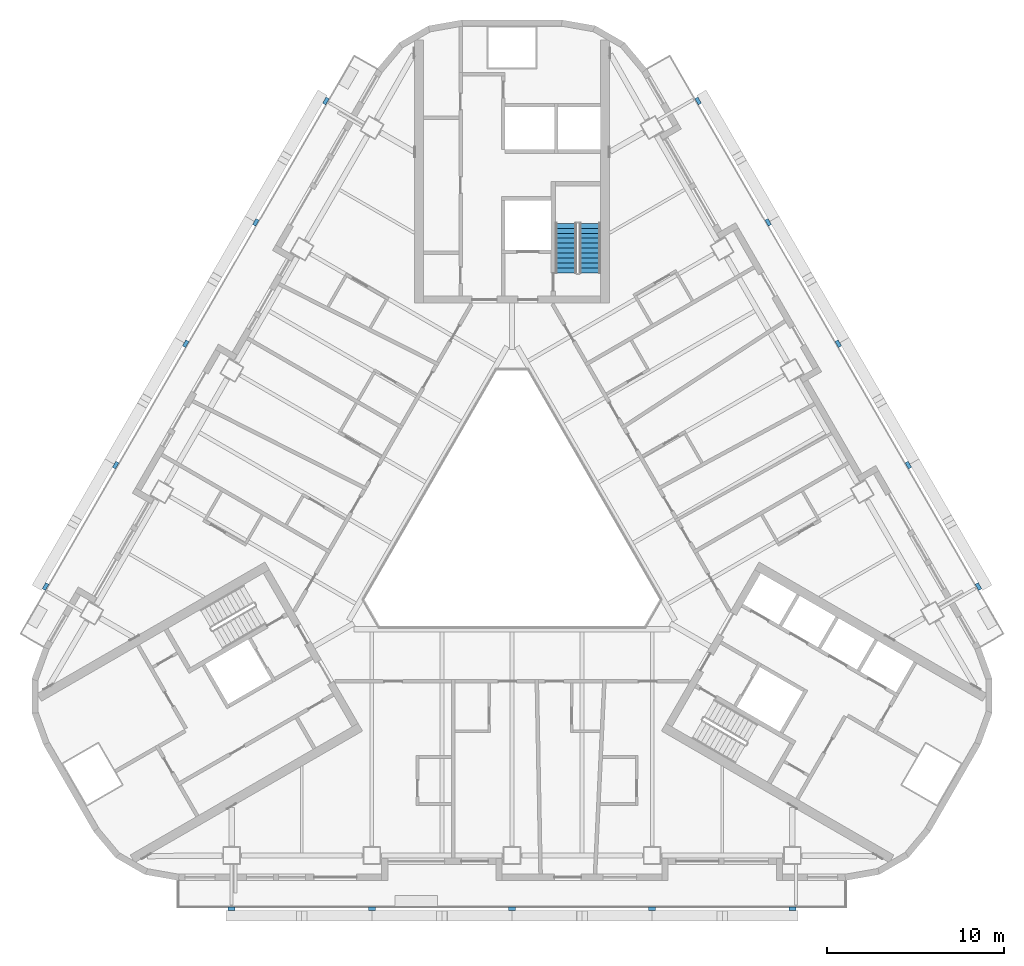
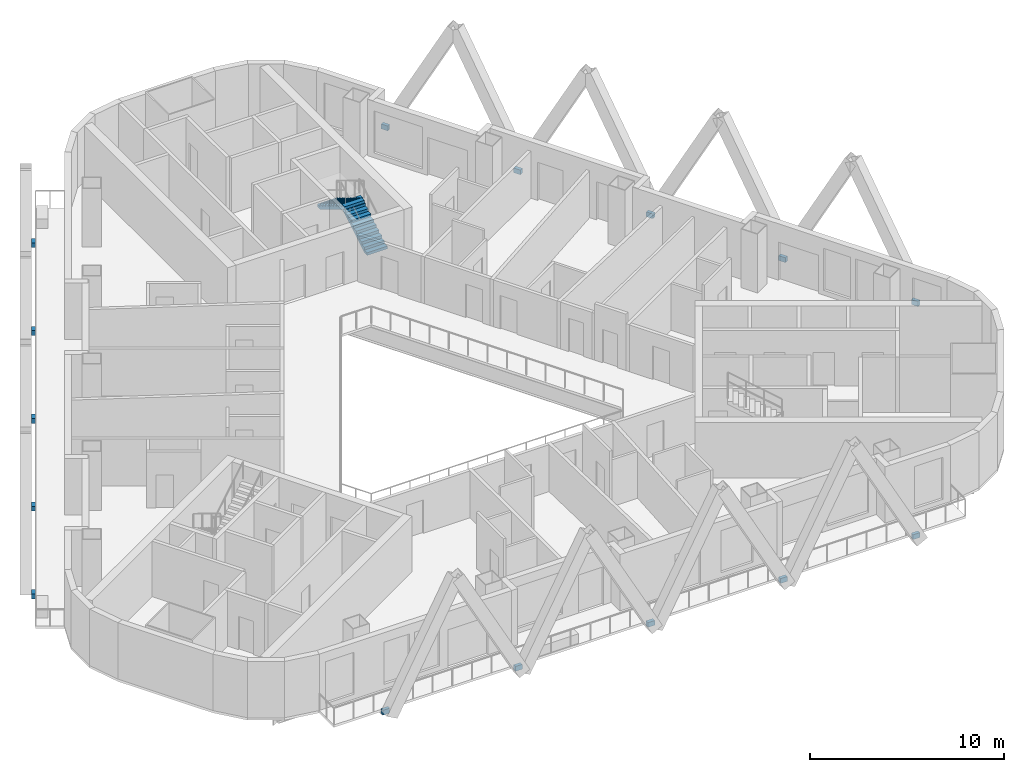
# One storey, part 11 of 17: 15 discrete accessories, 2 stair flights, 1 element without a shape of its own.
"""IFC4 building model written with IfcOpenShell, lengths in metres."""

from ifc_helpers import new_model, si_unit, direction, frame, origin, origin_2d, place, context, subcontext, project, spatial, polyline, rectangle, outline, extrude, material, type_object, element, aggregate, save


model = new_model("IFC4")

# Units and contexts
model_context = context("Model", 3, precision=1e-05, world=origin(), true_north=direction((0.0, 1.0)))
body_context = subcontext(model_context, "Body", "Model", "MODEL_VIEW")
ifc_project = project(units=[si_unit("LENGTHUNIT", "METRE"), si_unit("AREAUNIT", "SQUARE_METRE"), si_unit("VOLUMEUNIT", "CUBIC_METRE"), si_unit("PLANEANGLEUNIT", "RADIAN"), si_unit("MASSUNIT", "GRAM", prefix="KILO")], contexts=[model_context])

# Site, building, storey
site_placement = place(None, origin())
site = spatial("IfcSite", under=ifc_project, at=site_placement, CompositionType="ELEMENT")
building_placement = place(site_placement, origin())
building = spatial("IfcBuilding", under=site, at=building_placement, Name="Apuvela Tower Hotel", CompositionType="ELEMENT")
storey_placement = place(building_placement, frame((0.0, 0.0, 46.5)))
storey = spatial("IfcBuildingStorey", under=building, at=storey_placement, Name="L08", CompositionType="ELEMENT", Elevation=46.5)

# Stair, stair flights
ifc_material_1 = material(Name="Concrete C50/60", Category="concrete")
stair_type = type_object("IfcStairType", Name="COR-STAIR-22R", PredefinedType="HALF_TURN_STAIR", material=ifc_material_1)
stair_placement = place(storey_placement, origin())
stair = element("IfcStair", 1, at=stair_placement, inside=storey, type_object=stair_type, Name="L08 Exit stair ST1", PredefinedType="HALF_TURN_STAIR")
stair_flight_type = type_object("IfcStairFlightType", Name="COR-FLIGHT-11R", PredefinedType="STRAIGHT", material=ifc_material_1)
stair_flight_1_placement = place(storey_placement, frame((4.39990234375, 14.60009765625, 0.0), z_axis=(0.0, 0.0, 1.0), x_axis=(0.0, 1.0, 0.0)))
stair_flight_1 = element("IfcStairFlight", 2, at=stair_flight_1_placement, type_object=stair_flight_type, Name="ST1 flight 1", NumberOfRisers=11, NumberOfTreads=10, PredefinedType="STRAIGHT", RiserHeight=0.168181818, TreadLength=0.28, context=body_context, shape_type="SweptSolid", body=[
    extrude(outline(polyline([(0.0, 0.0), (0.0, 0.168212890625), (0.280029296875, 0.168212890625), (0.280029296875, 0.33642578125), (0.56005859375, 0.33642578125), (0.56005859375, 0.504638671875), (0.840087890625, 0.504638671875), (0.840087890625, 0.672607421875), (1.1201171875, 0.672607421875), (1.1201171875, 0.8408203125), (1.39990234375, 0.8408203125), (1.39990234375, 1.009033203125), (1.679931640625, 1.009033203125), (1.679931640625, 1.17724609375), (1.9599609375, 1.17724609375), (1.9599609375, 1.345458984375), (2.239990234375, 1.345458984375), (2.239990234375, 1.513671875), (2.52001953125, 1.513671875), (2.52001953125, 1.681884765625), (2.800048828125, 1.681884765625), (2.800048828125, 1.85009765625), (2.800048828125, 1.5068359375), (0.291015625, 0.0), (0.0, 0.0)])), frame((0.0, 0.60009765625, 0.0), z_axis=(0.0, -1.0, 0.0), x_axis=(1.0, 0.0, 0.0)), (0.0, 0.0, 1.0), 1.199951171875),
])
stair_flight_2_placement = place(storey_placement, frame((3.050048828125, 17.39990234375, 1.85009765625), z_axis=(0.0, 0.0, 1.0), x_axis=(0.0, -1.0, 0.0)))
stair_flight_2 = element("IfcStairFlight", 3, at=stair_flight_2_placement, type_object=stair_flight_type, Name="ST1 flight 2", NumberOfRisers=11, NumberOfTreads=10, PredefinedType="STRAIGHT", RiserHeight=0.168181818, TreadLength=0.28, context=body_context, shape_type="SweptSolid", body=[
    extrude(outline(polyline([(0.0, 0.0), (0.0, 0.168212890625), (0.280029296875, 0.168212890625), (0.280029296875, 0.33642578125), (0.56005859375, 0.33642578125), (0.56005859375, 0.504638671875), (0.840087890625, 0.504638671875), (0.840087890625, 0.672607421875), (1.1201171875, 0.672607421875), (1.1201171875, 0.8408203125), (1.39990234375, 0.8408203125), (1.39990234375, 1.009033203125), (1.679931640625, 1.009033203125), (1.679931640625, 1.17724609375), (1.9599609375, 1.17724609375), (1.9599609375, 1.345458984375), (2.239990234375, 1.345458984375), (2.239990234375, 1.513671875), (2.52001953125, 1.513671875), (2.52001953125, 1.681884765625), (2.800048828125, 1.681884765625), (2.800048828125, 1.85009765625), (2.800048828125, 1.5068359375), (0.291015625, 0.0), (0.0, 0.0)])), frame((0.0, 0.60009765625, 0.0), z_axis=(0.0, -1.0, 0.0), x_axis=(1.0, 0.0, 0.0)), (0.0, 0.0, 1.0), 1.199951171875),
])
aggregate(stair, [stair_flight_1, stair_flight_2])

# Discrete accessories
ifc_material_2 = material(Name="Steel S355, black paint system", Category="steel")
discrete_accessory_type = type_object("IfcDiscreteAccessoryType", Name="ENV-FIN-BRACKET", PredefinedType="BRACKET", material=ifc_material_2)
for number, where, z_axis, x_axis, name in (
    (4, (26.28564453125, -3.068115234375, -0.25), (0.0, 0.0, 1.0), (-0.5, 0.866025403784, 0.0), "Fin bracket NE1"),
    (5, (22.335693359375, 3.7734375, -0.25), (0.0, 0.0, 1.0), (-0.5, 0.866025403784, 0.0), "Fin bracket NE2"),
    (6, (18.3857421875, 10.614990234375, -0.25), (0.0, 0.0, 1.0), (-0.5, 0.866025403784, 0.0), "Fin bracket NE3"),
    (7, (14.435791015625, 17.45654296875, -0.25), (0.0, 0.0, 1.0), (-0.5, 0.866025403784, 0.0), "Fin bracket NE4"),
    (8, (10.485595703125, 24.298095703125, -0.25), (0.0, 0.0, 1.0), (-0.5, 0.866025403784, 0.0), "Fin bracket NE5"),
    (9, (-10.485595703125, 24.298095703125, -0.25), (0.0, 0.0, 1.0), (-0.5, -0.866025403784, 0.0), "Fin bracket NW150"),
    (10, (-14.435791015625, 17.45654296875, -0.25), (0.0, 0.0, 1.0), (-0.5, -0.866025403784, 0.0), "Fin bracket NW151"),
    (11, (-18.3857421875, 10.614990234375, -0.25), (0.0, 0.0, 1.0), (-0.5, -0.866025403784, 0.0), "Fin bracket NW152"),
    (12, (-22.335693359375, 3.7734375, -0.25), (0.0, 0.0, 1.0), (-0.5, -0.866025403784, 0.0), "Fin bracket NW153"),
    (13, (-26.28564453125, -3.068115234375, -0.25), (0.0, 0.0, 1.0), (-0.5, -0.866025403784, 0.0), "Fin bracket NW154"),
    (14, (-15.800048828125, -21.22998046875, -0.25), (0.0, 0.0, 1.0), (1.0, 0.0, 0.0), "Fin bracket S300"),
    (15, (-7.89990234375, -21.22998046875, -0.25), (0.0, 0.0, 1.0), (1.0, 0.0, 0.0), "Fin bracket S301"),
    (16, (0.0, -21.22998046875, -0.25), (0.0, 0.0, 1.0), (1.0, 0.0, 0.0), "Fin bracket S302"),
    (17, (7.89990234375, -21.22998046875, -0.25), (0.0, 0.0, 1.0), (1.0, 0.0, 0.0), "Fin bracket S303"),
    (18, (15.800048828125, -21.22998046875, -0.25), (0.0, 0.0, 1.0), (1.0, 0.0, 0.0), "Fin bracket S304"),
):
    element("IfcDiscreteAccessory", number, at=place(storey_placement, frame(where, z_axis=z_axis, x_axis=x_axis)), inside=storey, type_object=discrete_accessory_type, Name=name, PredefinedType="BRACKET", context=body_context, shape_type="SweptSolid", body=[
        extrude(rectangle(XDim=0.39990234375, YDim=0.199951171875, at=origin_2d()), origin(), (0.0, 0.0, 1.0), 0.300048828125),
    ])

save(model, "model.ifc")
